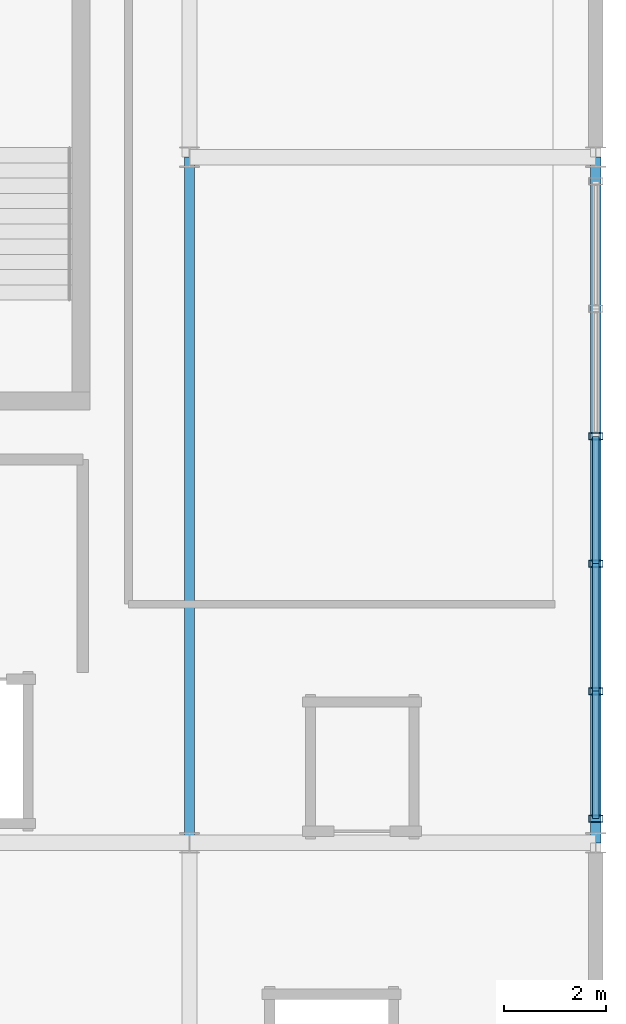
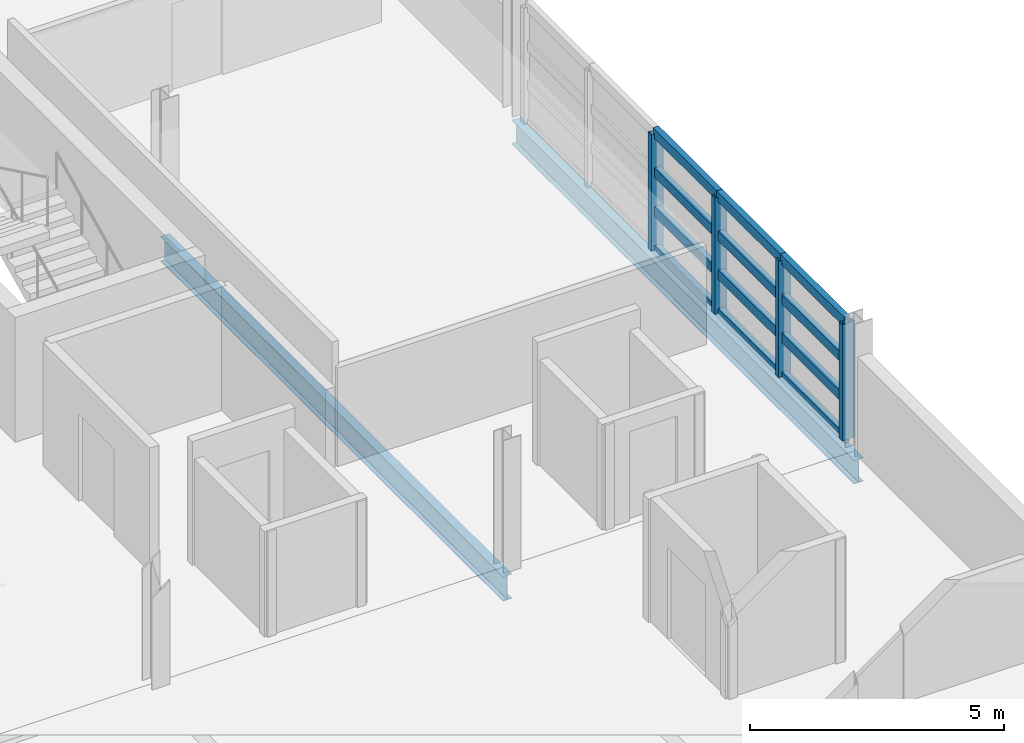
# One storey, part 53 of 86: 16 members, 2 beams, 1 element without a shape of its own.
"""IFC4 building model written with IfcOpenShell, lengths in metres."""

from ifc_helpers import new_model, si_unit, direction, frame, origin, origin_2d, place, context, subcontext, project, spatial, hollow_rectangle, i_section, extrude, material, material_profile, profile_set, type_object, element, aggregate, save


model = new_model("IFC4")

# Units and contexts
model_context = context("Model", 3, precision=1e-05, world=origin(), true_north=direction((0.0, 1.0)))
body_context = subcontext(model_context, "Body", "Model", "MODEL_VIEW")
ifc_project = project(units=[si_unit("LENGTHUNIT", "METRE"), si_unit("AREAUNIT", "SQUARE_METRE"), si_unit("VOLUMEUNIT", "CUBIC_METRE"), si_unit("PLANEANGLEUNIT", "RADIAN"), si_unit("MASSUNIT", "GRAM", prefix="KILO")], contexts=[model_context])

# Site, building, storey
site_placement = place(None, origin())
site = spatial("IfcSite", under=ifc_project, at=site_placement, CompositionType="ELEMENT")
building_placement = place(site_placement, origin())
building = spatial("IfcBuilding", under=site, at=building_placement, Name="Chuanluo Vaults Station", CompositionType="ELEMENT")
storey_placement = place(building_placement, frame((0.0, 0.0, 14.39990234375)))
storey = spatial("IfcBuildingStorey", under=building, at=storey_placement, Name="L03", CompositionType="ELEMENT", Elevation=14.39990234375)

# Beams
ifc_material_1 = material(Name="Steel Q355C", Category="steel")
ifc_material_profile_1 = material_profile(ifc_material_1, i_section(OverallWidth=0.199951171875, OverallDepth=0.60009765625, WebThickness=0.010986328125, FlangeThickness=0.01708984375, FilletRadius=0.01806640625, at=origin_2d()))
ifc_profile_set_1 = profile_set([ifc_material_profile_1], Name="Steel Q355C")
beam_type_1 = type_object("IfcBeamType", Name="BM-GRD-600", PredefinedType="USERDEFINED", material=ifc_profile_set_1)
beam_1_placement = place(storey_placement, frame((180.0, 103.5, -0.52001953125), z_axis=(0.0, 1.0, 0.0), x_axis=(-1.0, 0.0, 0.0)))
element("IfcBeam", 1, at=beam_1_placement, inside=storey, type_object=beam_type_1, Name="Floor girder BM:GY:L03:0832", ObjectType="GIRDER", PredefinedType="USERDEFINED", context=body_context, shape_type="SweptSolid", body=[
    extrude(i_section(OverallWidth=0.199951171875, OverallDepth=0.60009765625, WebThickness=0.010986328125, FlangeThickness=0.01708984375, FilletRadius=0.01806640625, at=origin_2d()), origin(), (0.0, 0.0, 1.0), 13.5),
])
ifc_material_2 = material(Name="Steel Q355C", Category="steel")
ifc_material_profile_2 = material_profile(ifc_material_2, i_section(OverallWidth=0.2099609375, OverallDepth=0.580078125, WebThickness=0.010986328125, FlangeThickness=0.01708984375, FilletRadius=0.01806640625, at=origin_2d()))
ifc_profile_set_2 = profile_set([ifc_material_profile_2], Name="Steel Q355C")
beam_type_2 = type_object("IfcBeamType", Name="BM-SPN-600", PredefinedType="SPANDREL", material=ifc_profile_set_2)
beam_2_placement = place(storey_placement, frame((188.0, 103.5, -0.510009765625), z_axis=(0.0, 1.0, 0.0), x_axis=(-1.0, 0.0, 0.0)))
element("IfcBeam", 2, at=beam_2_placement, inside=storey, type_object=beam_type_2, Name="Floor girder BM:GY:L03:0838", PredefinedType="SPANDREL", context=body_context, shape_type="SweptSolid", body=[
    extrude(i_section(OverallWidth=0.2099609375, OverallDepth=0.580078125, WebThickness=0.010986328125, FlangeThickness=0.01708984375, FilletRadius=0.01806640625, at=origin_2d()), origin(), (0.0, 0.0, 1.0), 13.5),
])

# Curtain wall, members
ifc_material_3 = material(Name="Anodised aluminium 6063-T6", Category="aluminium")
curtain_wall_type = type_object("IfcCurtainWallType", Name="CW-SYS-10", PredefinedType="NOTDEFINED", material=ifc_material_3)
curtain_wall_placement = place(storey_placement, origin())
curtain_wall = element("IfcCurtainWall", 3, at=curtain_wall_placement, inside=storey, type_object=curtain_wall_type, Name="Operations L03 facade CW", PredefinedType="NOTDEFINED")
ifc_material_4 = material(Name="Anodised aluminium 6063-T6", Category="aluminium")
ifc_material_profile_3 = material_profile(ifc_material_4, hollow_rectangle(XDim=0.1298828125, YDim=0.280029296875, WallThickness=0.007080078125, at=origin_2d()))
ifc_profile_set_3 = profile_set([ifc_material_profile_3], Name="Anodised aluminium 6063-T6")
member_type_1 = type_object("IfcMemberType", Name="CWM-180", PredefinedType="MULLION", material=ifc_profile_set_3)
member_1_placement = place(storey_placement, frame((188.0, 111.5048828125, 0.0), z_axis=(0.0, 0.0, 1.0), x_axis=(0.0, -1.0, 0.0)))
member_1 = element("IfcMember", 4, at=member_1_placement, type_object=member_type_1, Name="Operations L03 facade CW mullion 3", PredefinedType="MULLION", context=body_context, shape_type="SweptSolid", body=[
    extrude(hollow_rectangle(XDim=0.1298828125, YDim=0.280029296875, WallThickness=0.007080078125, at=origin_2d()), origin(), (0.0, 0.0, 1.0), 2.800048828125),
])
member_2_placement = place(storey_placement, frame((188.0, 108.9951171875, 0.0), z_axis=(0.0, 0.0, 1.0), x_axis=(0.0, -1.0, 0.0)))
member_2 = element("IfcMember", 5, at=member_2_placement, type_object=member_type_1, Name="Operations L03 facade CW mullion 4", PredefinedType="MULLION", context=body_context, shape_type="SweptSolid", body=[
    extrude(hollow_rectangle(XDim=0.1298828125, YDim=0.280029296875, WallThickness=0.007080078125, at=origin_2d()), origin(), (0.0, 0.0, 1.0), 2.800048828125),
])
member_3_placement = place(storey_placement, frame((188.0, 106.485107421875, 0.0), z_axis=(0.0, 0.0, 1.0), x_axis=(0.0, -1.0, 0.0)))
member_3 = element("IfcMember", 6, at=member_3_placement, type_object=member_type_1, Name="Operations L03 facade CW mullion 5", PredefinedType="MULLION", context=body_context, shape_type="SweptSolid", body=[
    extrude(hollow_rectangle(XDim=0.1298828125, YDim=0.280029296875, WallThickness=0.007080078125, at=origin_2d()), origin(), (0.0, 0.0, 1.0), 2.800048828125),
])
member_4_placement = place(storey_placement, frame((188.0, 103.97509765625, 0.0), z_axis=(0.0, 0.0, 1.0), x_axis=(0.0, -1.0, 0.0)))
member_4 = element("IfcMember", 7, at=member_4_placement, type_object=member_type_1, Name="Operations L03 facade CW mullion 6", PredefinedType="MULLION", context=body_context, shape_type="SweptSolid", body=[
    extrude(hollow_rectangle(XDim=0.1298828125, YDim=0.280029296875, WallThickness=0.007080078125, at=origin_2d()), origin(), (0.0, 0.0, 1.0), 2.800048828125),
])
ifc_material_5 = material(Name="Anodised aluminium 6063-T6", Category="aluminium")
ifc_material_profile_4 = material_profile(ifc_material_5, hollow_rectangle(XDim=0.1298828125, YDim=0.22998046875, WallThickness=0.006103515625, at=origin_2d()))
ifc_profile_set_4 = profile_set([ifc_material_profile_4], Name="Anodised aluminium 6063-T6")
member_type_2 = type_object("IfcMemberType", Name="CWT-150", PredefinedType="USERDEFINED", material=ifc_profile_set_4)
member_5_placement = place(storey_placement, frame((188.0, 111.5048828125, 0.0), z_axis=(0.0, -1.0, 0.0), x_axis=(1.0, 0.0, 0.0)))
member_5 = element("IfcMember", 8, at=member_5_placement, type_object=member_type_2, Name="Operations L03 facade CW transom 3.1", ObjectType="TRANSOM", PredefinedType="USERDEFINED", context=body_context, shape_type="SweptSolid", body=[
    extrude(hollow_rectangle(XDim=0.1298828125, YDim=0.22998046875, WallThickness=0.006103515625, at=origin_2d()), origin(), (0.0, 0.0, 1.0), 2.509765625),
])
member_6_placement = place(storey_placement, frame((188.0, 111.5048828125, 0.933349609375), z_axis=(0.0, -1.0, 0.0), x_axis=(1.0, 0.0, 0.0)))
member_6 = element("IfcMember", 9, at=member_6_placement, type_object=member_type_2, Name="Operations L03 facade CW transom 3.2", ObjectType="TRANSOM", PredefinedType="USERDEFINED", context=body_context, shape_type="SweptSolid", body=[
    extrude(hollow_rectangle(XDim=0.1298828125, YDim=0.22998046875, WallThickness=0.006103515625, at=origin_2d()), origin(), (0.0, 0.0, 1.0), 2.509765625),
])
member_7_placement = place(storey_placement, frame((188.0, 111.5048828125, 1.86669921875), z_axis=(0.0, -1.0, 0.0), x_axis=(1.0, 0.0, 0.0)))
member_7 = element("IfcMember", 10, at=member_7_placement, type_object=member_type_2, Name="Operations L03 facade CW transom 3.3", ObjectType="TRANSOM", PredefinedType="USERDEFINED", context=body_context, shape_type="SweptSolid", body=[
    extrude(hollow_rectangle(XDim=0.1298828125, YDim=0.22998046875, WallThickness=0.006103515625, at=origin_2d()), origin(), (0.0, 0.0, 1.0), 2.509765625),
])
member_8_placement = place(storey_placement, frame((188.0, 111.5048828125, 2.800048828125), z_axis=(0.0, -1.0, 0.0), x_axis=(1.0, 0.0, 0.0)))
member_8 = element("IfcMember", 11, at=member_8_placement, type_object=member_type_2, Name="Operations L03 facade CW transom 3.4", ObjectType="TRANSOM", PredefinedType="USERDEFINED", context=body_context, shape_type="SweptSolid", body=[
    extrude(hollow_rectangle(XDim=0.1298828125, YDim=0.22998046875, WallThickness=0.006103515625, at=origin_2d()), origin(), (0.0, 0.0, 1.0), 2.509765625),
])
member_9_placement = place(storey_placement, frame((188.0, 108.9951171875, 0.0), z_axis=(0.0, -1.0, 0.0), x_axis=(1.0, 0.0, 0.0)))
member_9 = element("IfcMember", 12, at=member_9_placement, type_object=member_type_2, Name="Operations L03 facade CW transom 4.1", ObjectType="TRANSOM", PredefinedType="USERDEFINED", context=body_context, shape_type="SweptSolid", body=[
    extrude(hollow_rectangle(XDim=0.1298828125, YDim=0.22998046875, WallThickness=0.006103515625, at=origin_2d()), origin(), (0.0, 0.0, 1.0), 2.510009765625),
])
member_10_placement = place(storey_placement, frame((188.0, 108.9951171875, 0.933349609375), z_axis=(0.0, -1.0, 0.0), x_axis=(1.0, 0.0, 0.0)))
member_10 = element("IfcMember", 13, at=member_10_placement, type_object=member_type_2, Name="Operations L03 facade CW transom 4.2", ObjectType="TRANSOM", PredefinedType="USERDEFINED", context=body_context, shape_type="SweptSolid", body=[
    extrude(hollow_rectangle(XDim=0.1298828125, YDim=0.22998046875, WallThickness=0.006103515625, at=origin_2d()), origin(), (0.0, 0.0, 1.0), 2.510009765625),
])
member_11_placement = place(storey_placement, frame((188.0, 108.9951171875, 1.86669921875), z_axis=(0.0, -1.0, 0.0), x_axis=(1.0, 0.0, 0.0)))
member_11 = element("IfcMember", 14, at=member_11_placement, type_object=member_type_2, Name="Operations L03 facade CW transom 4.3", ObjectType="TRANSOM", PredefinedType="USERDEFINED", context=body_context, shape_type="SweptSolid", body=[
    extrude(hollow_rectangle(XDim=0.1298828125, YDim=0.22998046875, WallThickness=0.006103515625, at=origin_2d()), origin(), (0.0, 0.0, 1.0), 2.510009765625),
])
member_12_placement = place(storey_placement, frame((188.0, 108.9951171875, 2.800048828125), z_axis=(0.0, -1.0, 0.0), x_axis=(1.0, 0.0, 0.0)))
member_12 = element("IfcMember", 15, at=member_12_placement, type_object=member_type_2, Name="Operations L03 facade CW transom 4.4", ObjectType="TRANSOM", PredefinedType="USERDEFINED", context=body_context, shape_type="SweptSolid", body=[
    extrude(hollow_rectangle(XDim=0.1298828125, YDim=0.22998046875, WallThickness=0.006103515625, at=origin_2d()), origin(), (0.0, 0.0, 1.0), 2.510009765625),
])
member_13_placement = place(storey_placement, frame((188.0, 106.485107421875, 0.0), z_axis=(0.0, -1.0, 0.0), x_axis=(1.0, 0.0, 0.0)))
member_13 = element("IfcMember", 16, at=member_13_placement, type_object=member_type_2, Name="Operations L03 facade CW transom 5.1", ObjectType="TRANSOM", PredefinedType="USERDEFINED", context=body_context, shape_type="SweptSolid", body=[
    extrude(hollow_rectangle(XDim=0.1298828125, YDim=0.22998046875, WallThickness=0.006103515625, at=origin_2d()), origin(), (0.0, 0.0, 1.0), 2.510009765625),
])
member_14_placement = place(storey_placement, frame((188.0, 106.485107421875, 0.933349609375), z_axis=(0.0, -1.0, 0.0), x_axis=(1.0, 0.0, 0.0)))
member_14 = element("IfcMember", 17, at=member_14_placement, type_object=member_type_2, Name="Operations L03 facade CW transom 5.2", ObjectType="TRANSOM", PredefinedType="USERDEFINED", context=body_context, shape_type="SweptSolid", body=[
    extrude(hollow_rectangle(XDim=0.1298828125, YDim=0.22998046875, WallThickness=0.006103515625, at=origin_2d()), origin(), (0.0, 0.0, 1.0), 2.510009765625),
])
member_15_placement = place(storey_placement, frame((188.0, 106.485107421875, 1.86669921875), z_axis=(0.0, -1.0, 0.0), x_axis=(1.0, 0.0, 0.0)))
member_15 = element("IfcMember", 18, at=member_15_placement, type_object=member_type_2, Name="Operations L03 facade CW transom 5.3", ObjectType="TRANSOM", PredefinedType="USERDEFINED", context=body_context, shape_type="SweptSolid", body=[
    extrude(hollow_rectangle(XDim=0.1298828125, YDim=0.22998046875, WallThickness=0.006103515625, at=origin_2d()), origin(), (0.0, 0.0, 1.0), 2.510009765625),
])
member_16_placement = place(storey_placement, frame((188.0, 106.485107421875, 2.800048828125), z_axis=(0.0, -1.0, 0.0), x_axis=(1.0, 0.0, 0.0)))
member_16 = element("IfcMember", 19, at=member_16_placement, type_object=member_type_2, Name="Operations L03 facade CW transom 5.4", ObjectType="TRANSOM", PredefinedType="USERDEFINED", context=body_context, shape_type="SweptSolid", body=[
    extrude(hollow_rectangle(XDim=0.1298828125, YDim=0.22998046875, WallThickness=0.006103515625, at=origin_2d()), origin(), (0.0, 0.0, 1.0), 2.510009765625),
])
aggregate(curtain_wall, [member_1, member_2, member_3, member_4, member_5, member_6, member_7, member_8, member_9, member_10, member_11, member_12, member_13, member_14, member_15, member_16])

save(model, "model.ifc")
